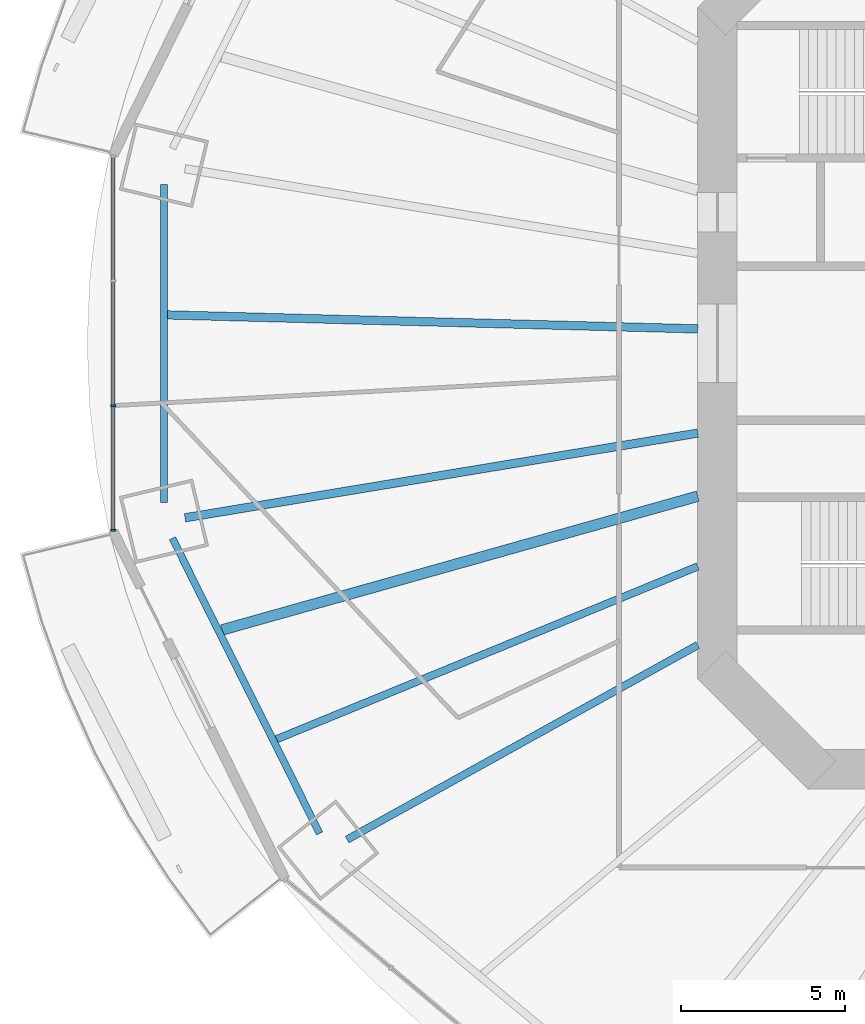
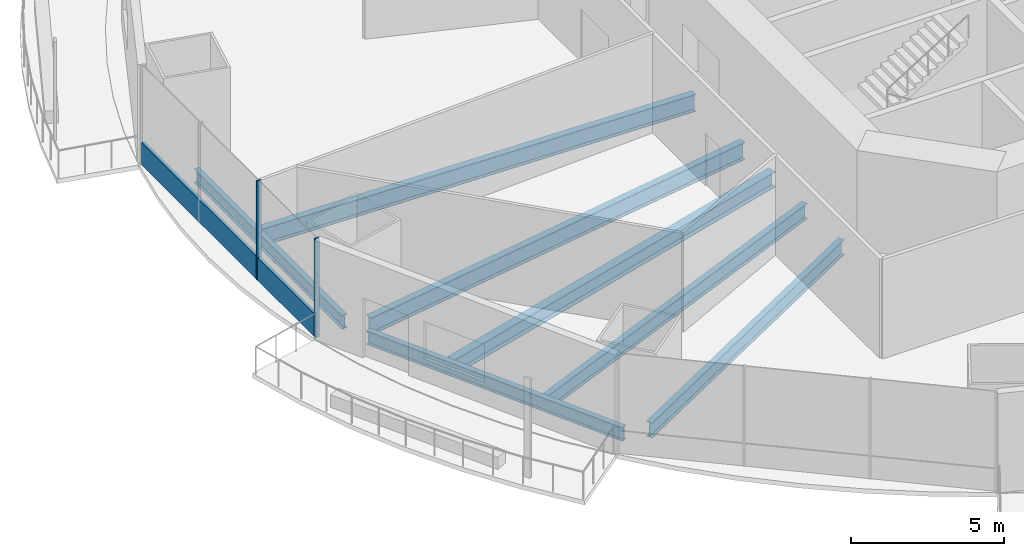
# One storey, part 3 of 22: 7 beams, 3 members, 1 element without a shape of its own.
"""IFC4 building model written with IfcOpenShell, lengths in metres."""

from ifc_helpers import new_model, si_unit, direction, frame, origin, origin_2d, place, context, subcontext, project, spatial, rectangle, i_section, extrude, material, material_profile, profile_set, type_object, element, aggregate, save


model = new_model("IFC4")

# Units and contexts
model_context = context("Model", 3, precision=1e-05, world=origin(), true_north=direction((0.0, 1.0)))
body_context = subcontext(model_context, "Body", "Model", "MODEL_VIEW")
ifc_project = project(units=[si_unit("LENGTHUNIT", "METRE"), si_unit("AREAUNIT", "SQUARE_METRE"), si_unit("VOLUMEUNIT", "CUBIC_METRE"), si_unit("PLANEANGLEUNIT", "RADIAN"), si_unit("MASSUNIT", "GRAM", prefix="KILO")], contexts=[model_context])

# Site, building, storey
site_placement = place(None, origin())
site = spatial("IfcSite", under=ifc_project, at=site_placement, CompositionType="ELEMENT")
building_placement = place(site_placement, origin())
building = spatial("IfcBuilding", under=site, at=building_placement, Name="Marenthal Gate Tower", CompositionType="ELEMENT")
storey_placement = place(building_placement, frame((0.0, 0.0, 82.800048828125)))
storey = spatial("IfcBuildingStorey", under=building, at=storey_placement, Name="L16", CompositionType="ELEMENT", Elevation=82.800048828125)

# Curtain wall, members
ifc_material_1 = material(Name="Aluminium and glass", Category="aluminium")
curtain_wall_type = type_object("IfcCurtainWallType", Name="Curtain wall typical low", PredefinedType="NOTDEFINED", material=ifc_material_1)
curtain_wall_placement = place(storey_placement, origin())
curtain_wall = element("IfcCurtainWall", 1, at=curtain_wall_placement, inside=storey, type_object=curtain_wall_type, Name="Curtain wall L16 bay 8", PredefinedType="NOTDEFINED")
ifc_material_2 = material(Name="Aluminium", Category="aluminium")
ifc_material_profile_1 = material_profile(ifc_material_2, rectangle(XDim=0.159912109375, YDim=0.06005859375, at=origin_2d()), Name="60x160 aluminium mullion")
ifc_profile_set_1 = profile_set([ifc_material_profile_1], Name="Aluminium")
member_type_1 = type_object("IfcMemberType", Name="Mullion 60x160 typical low", PredefinedType="MULLION", material=ifc_profile_set_1)
member_1_placement = place(storey_placement, frame((-34.436279296875, -1.903076171875, 0.0), z_axis=(0.0, 0.0, 1.0), x_axis=(1.0, 0.0, 0.0)))
member_1 = element("IfcMember", 2, at=member_1_placement, type_object=member_type_1, Name="Mullion L16 bay 8.3", PredefinedType="MULLION", context=body_context, shape_type="SweptSolid", body=[
    extrude(rectangle(XDim=0.159912109375, YDim=0.06005859375, at=origin_2d()), origin(), (0.0, 0.0, 1.0), 3.969970703125),
])
member_2_placement = place(storey_placement, frame((-34.436279296875, -5.709228515625, 0.0), z_axis=(0.0, 0.0, 1.0), x_axis=(1.0, 0.0, 0.0)))
member_2 = element("IfcMember", 3, at=member_2_placement, type_object=member_type_1, Name="Mullion L16 bay 8.4", PredefinedType="MULLION", context=body_context, shape_type="SweptSolid", body=[
    extrude(rectangle(XDim=0.159912109375, YDim=0.06005859375, at=origin_2d()), origin(), (0.0, 0.0, 1.0), 3.969970703125),
])
ifc_material_3 = material(Name="Aluminium", Category="aluminium")
ifc_material_profile_2 = material_profile(ifc_material_3, rectangle(XDim=0.1201171875, YDim=0.89990234375, at=origin_2d()), Name="120x900 aluminium transom")
ifc_profile_set_2 = profile_set([ifc_material_profile_2], Name="Aluminium")
member_type_2 = type_object("IfcMemberType", Name="Transom 120x900 typical low", PredefinedType="USERDEFINED", material=ifc_profile_set_2)
member_3_placement = place(storey_placement, frame((-34.436279296875, 5.67919921875, 0.449951171875), z_axis=(0.0, -1.0, 0.0), x_axis=(1.0, 0.0, 0.0)))
member_3 = element("IfcMember", 4, at=member_3_placement, type_object=member_type_2, Name="Transom L16 bay 8", ObjectType="TRANSOM", PredefinedType="USERDEFINED", context=body_context, shape_type="SweptSolid", body=[
    extrude(rectangle(XDim=0.1201171875, YDim=0.89990234375, at=origin_2d()), origin(), (0.0, 0.0, 1.0), 11.3583984375),
])
aggregate(curtain_wall, [member_1, member_2, member_3])

# Beams
ifc_material_4 = material(Name="Steel S355", Category="steel")
ifc_material_profile_3 = material_profile(ifc_material_4, i_section(OverallWidth=0.2119140625, OverallDepth=0.5439453125, WebThickness=0.01318359375, FlangeThickness=0.021240234375, FilletRadius=0.0126953125, at=origin_2d()), Name="W530X123")
ifc_profile_set_3 = profile_set([ifc_material_profile_3], Name="Steel S355")
beam_type_1 = type_object("IfcBeamType", Name="W530X123 beam", PredefinedType="BEAM", material=ifc_profile_set_3)
beam_1_placement = place(storey_placement, frame((-32.88671875, 4.851318359375, -0.4521484375), z_axis=(0.0, -1.0, 0.0), x_axis=(1.0, 0.0, 0.0)))
element("IfcBeam", 5, at=beam_1_placement, inside=storey, type_object=beam_type_1, Name="BM-L16-48", PredefinedType="BEAM", context=body_context, shape_type="SweptSolid", body=[
    extrude(i_section(OverallWidth=0.2119140625, OverallDepth=0.5439453125, WebThickness=0.01318359375, FlangeThickness=0.021240234375, FilletRadius=0.0126953125, at=origin_2d()), origin(), (0.0, 0.0, 1.0), 9.70263671875),
])
beam_2_placement = place(storey_placement, frame((-32.628662109375, -5.947998046875, -0.4521484375), z_axis=(0.446427279823, -0.894819916983, 0.0), x_axis=(0.894819916983, 0.446427279823, 0.0)))
element("IfcBeam", 6, at=beam_2_placement, inside=storey, type_object=beam_type_1, Name="BM-L16-49", PredefinedType="BEAM", context=body_context, shape_type="SweptSolid", body=[
    extrude(i_section(OverallWidth=0.2119140625, OverallDepth=0.5439453125, WebThickness=0.01318359375, FlangeThickness=0.021240234375, FilletRadius=0.0126953125, at=origin_2d()), origin(), (0.0, 0.0, 1.0), 10.06201171875),
])
ifc_material_5 = material(Name="Steel S355", Category="steel")
ifc_material_profile_4 = material_profile(ifc_material_5, i_section(OverallWidth=0.22900390625, OverallDepth=0.612060546875, WebThickness=0.011962890625, FlangeThickness=0.01953125, FilletRadius=0.0126953125, at=origin_2d()), Name="W610X125")
ifc_profile_set_4 = profile_set([ifc_material_profile_4], Name="Steel S355")
beam_type_2 = type_object("IfcBeamType", Name="W610X125 beam", PredefinedType="BEAM", material=ifc_profile_set_4)
beam_3_placement = place(storey_placement, frame((-27.296630859375, -15.142333984375, -0.486083984375), z_axis=(0.874458374023, 0.485100558752, 0.0), x_axis=(-0.485100558752, 0.874458374023, 0.0)))
element("IfcBeam", 7, at=beam_3_placement, inside=storey, type_object=beam_type_2, Name="BM-L16-10", PredefinedType="BEAM", context=body_context, shape_type="SweptSolid", body=[
    extrude(i_section(OverallWidth=0.22900390625, OverallDepth=0.612060546875, WebThickness=0.011962890625, FlangeThickness=0.01953125, FilletRadius=0.0126953125, at=origin_2d()), origin(), (0.0, 0.0, 1.0), 12.232177734375),
])
beam_4_placement = place(storey_placement, frame((-29.45068359375, -12.08056640625, -0.486083984375), z_axis=(0.925188716507, 0.379507363365, 0.0), x_axis=(-0.379507363365, 0.925188716507, 0.0)))
element("IfcBeam", 8, at=beam_4_placement, inside=storey, type_object=beam_type_2, Name="BM-L16-30", PredefinedType="BEAM", context=body_context, shape_type="SweptSolid", body=[
    extrude(i_section(OverallWidth=0.22900390625, OverallDepth=0.612060546875, WebThickness=0.011962890625, FlangeThickness=0.01953125, FilletRadius=0.0126953125, at=origin_2d()), origin(), (0.0, 0.0, 1.0), 13.8896484375),
])
ifc_material_6 = material(Name="Steel S355", Category="steel")
ifc_material_profile_5 = material_profile(ifc_material_6, i_section(OverallWidth=0.324951171875, OverallDepth=0.612060546875, WebThickness=0.0126953125, FlangeThickness=0.01904296875, FilletRadius=0.0126953125, at=origin_2d()), Name="W610X155")
ifc_profile_set_5 = profile_set([ifc_material_profile_5], Name="Steel S355")
beam_type_3 = type_object("IfcBeamType", Name="W610X155 beam", PredefinedType="BEAM", material=ifc_profile_set_5)
beam_5_placement = place(storey_placement, frame((-31.114013671875, -8.74658203125, -0.486083984375), z_axis=(0.962684828959, 0.270625054443, 0.0), x_axis=(-0.270625054443, 0.962684828959, 0.0)))
element("IfcBeam", 9, at=beam_5_placement, inside=storey, type_object=beam_type_3, Name="BM-L16-29", PredefinedType="BEAM", context=body_context, shape_type="SweptSolid", body=[
    extrude(i_section(OverallWidth=0.324951171875, OverallDepth=0.612060546875, WebThickness=0.0126953125, FlangeThickness=0.01904296875, FilletRadius=0.0126953125, at=origin_2d()), origin(), (0.0, 0.0, 1.0), 15.076416015625),
])
ifc_material_7 = material(Name="Steel S355", Category="steel")
ifc_material_profile_6 = material_profile(ifc_material_7, i_section(OverallWidth=0.257080078125, OverallDepth=0.693115234375, WebThickness=0.014404296875, FlangeThickness=0.023681640625, FilletRadius=0.015380859375, at=origin_2d()), Name="W690X170")
ifc_profile_set_6 = profile_set([ifc_material_profile_6], Name="Steel S355")
beam_type_4 = type_object("IfcBeamType", Name="W690X170 beam", PredefinedType="BEAM", material=ifc_profile_set_6)
beam_6_placement = place(storey_placement, frame((-32.242431640625, -5.324462890625, -0.526611328125), z_axis=(0.986636314494, 0.162937972619, 0.0), x_axis=(-0.162937972619, 0.986636314494, 0.0)))
element("IfcBeam", 10, at=beam_6_placement, inside=storey, type_object=beam_type_4, Name="BM-L16-09", PredefinedType="BEAM", context=body_context, shape_type="SweptSolid", body=[
    extrude(i_section(OverallWidth=0.257080078125, OverallDepth=0.693115234375, WebThickness=0.014404296875, FlangeThickness=0.023681640625, FilletRadius=0.015380859375, at=origin_2d()), origin(), (0.0, 0.0, 1.0), 15.854248046875),
])
beam_7_placement = place(storey_placement, frame((-32.78076171875, 0.8662109375, -0.526611328125), z_axis=(0.999651179151, -0.026410604362, 0.0), x_axis=(0.026410604362, 0.999651179151, 0.0)))
element("IfcBeam", 11, at=beam_7_placement, inside=storey, type_object=beam_type_4, Name="BM-L16-28", PredefinedType="BEAM", context=body_context, shape_type="SweptSolid", body=[
    extrude(i_section(OverallWidth=0.257080078125, OverallDepth=0.693115234375, WebThickness=0.014404296875, FlangeThickness=0.023681640625, FilletRadius=0.015380859375, at=origin_2d()), origin(), (0.0, 0.0, 1.0), 16.186279296875),
])

save(model, "model.ifc")
